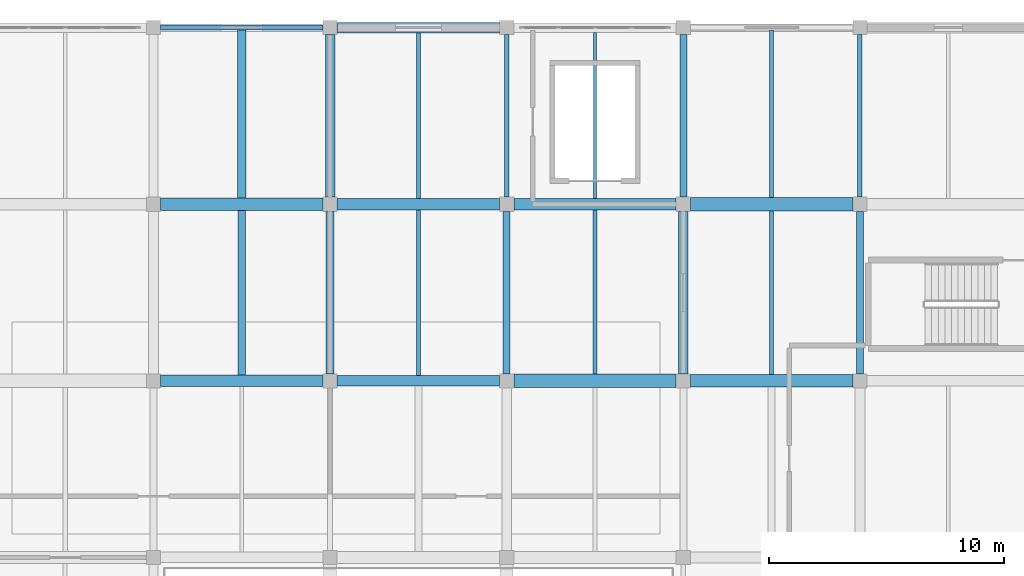
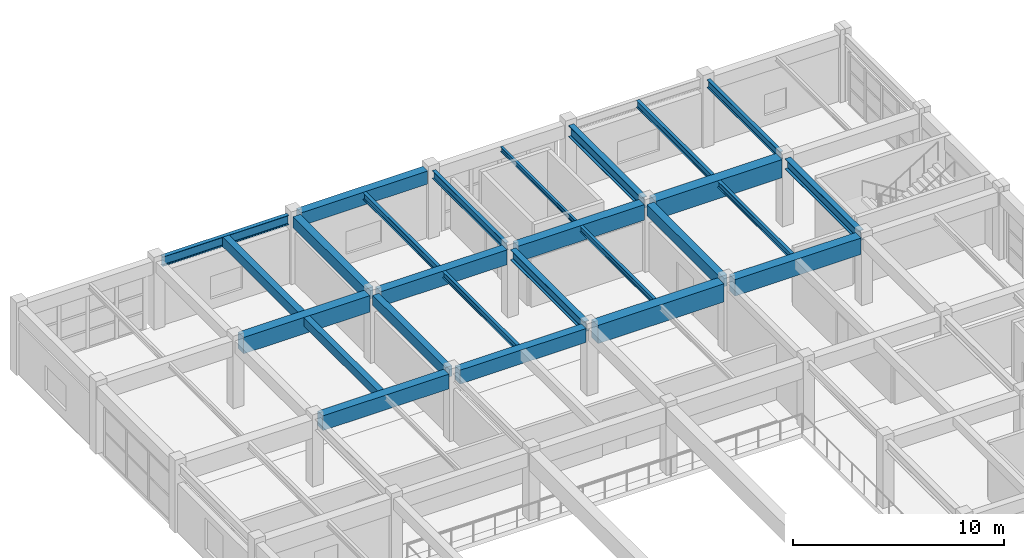
# One storey, part 72 of 124: 26 beams.
"""IFC4 building model written with IfcOpenShell, lengths in metres."""

from ifc_helpers import new_model, si_unit, direction, frame, origin, origin_2d, place, context, subcontext, project, spatial, rectangle, i_section, extrude, material, material_profile, profile_set, type_object, element, save


model = new_model("IFC4")

# Units and contexts
model_context = context("Model", 3, precision=1e-05, world=origin(), true_north=direction((0.0, 1.0)))
body_context = subcontext(model_context, "Body", "Model", "MODEL_VIEW")
ifc_project = project(units=[si_unit("LENGTHUNIT", "METRE"), si_unit("AREAUNIT", "SQUARE_METRE"), si_unit("VOLUMEUNIT", "CUBIC_METRE"), si_unit("PLANEANGLEUNIT", "RADIAN"), si_unit("MASSUNIT", "GRAM", prefix="KILO")], contexts=[model_context])

# Site, building, storey
site_placement = place(None, origin())
site = spatial("IfcSite", under=ifc_project, at=site_placement, CompositionType="ELEMENT")
building_placement = place(site_placement, origin())
building = spatial("IfcBuilding", under=site, at=building_placement, Name="Qasida Concert Hall", CompositionType="ELEMENT")
storey_placement = place(building_placement, frame((0.0, 0.0, 9.0)))
storey = spatial("IfcBuildingStorey", under=building, at=storey_placement, Name="L02", CompositionType="ELEMENT", Elevation=9.0)

# Beams
ifc_material_1 = material(Name="Concrete C40/50", Category="concrete")
ifc_material_profile_1 = material_profile(ifc_material_1, rectangle(XDim=0.39990234375, YDim=0.64990234375, at=origin_2d()), Name="RC 400x650")
ifc_profile_set_1 = profile_set([ifc_material_profile_1], Name="Concrete C40/50")
beam_type_1 = type_object("IfcBeamType", Name="BM-B1", PredefinedType="BEAM", material=ifc_profile_set_1)
for number, where, z_axis, x_axis, name in (
    (1, (135.0, 105.300048828125, 3.574951171875), (0.0, 1.0, 0.0), (-1.0, 0.0, 0.0), "L02 girder 1396"),
    (2, (150.0, 97.800048828125, 3.574951171875), (0.0, 1.0, 0.0), (-1.0, 0.0, 0.0), "L02 girder 1404"),
):
    element("IfcBeam", number, at=place(storey_placement, frame(where, z_axis=z_axis, x_axis=x_axis)), inside=storey, type_object=beam_type_1, Name=name, PredefinedType="BEAM", context=body_context, shape_type="SweptSolid", body=[
        extrude(rectangle(XDim=0.39990234375, YDim=0.64990234375, at=origin_2d()), origin(), (0.0, 0.0, 1.0), 6.89990234375),
    ])
ifc_material_2 = material(Name="Steel S355J2", Category="steel")
ifc_material_profile_2 = material_profile(ifc_material_2, i_section(OverallWidth=0.300048828125, OverallDepth=0.64990234375, WebThickness=0.01611328125, FlangeThickness=0.031005859375, FilletRadius=0.027099609375, at=origin_2d()), Name="HEB 650")
ifc_profile_set_2 = profile_set([ifc_material_profile_2], Name="Steel S355J2")
beam_type_2 = type_object("IfcBeamType", Name="BM-B13", PredefinedType="BEAM", material=ifc_profile_set_2)
beam_1_placement = place(storey_placement, frame((150.0, 105.300048828125, 3.574951171875), z_axis=(0.0, 1.0, 0.0), x_axis=(-1.0, 0.0, 0.0)))
element("IfcBeam", 3, at=beam_1_placement, inside=storey, type_object=beam_type_2, Name="L02 girder 1405", PredefinedType="BEAM", context=body_context, shape_type="SweptSolid", body=[
    extrude(i_section(OverallWidth=0.300048828125, OverallDepth=0.64990234375, WebThickness=0.01611328125, FlangeThickness=0.031005859375, FilletRadius=0.027099609375, at=origin_2d()), origin(), (0.0, 0.0, 1.0), 6.89990234375),
])
ifc_material_profile_3 = material_profile(ifc_material_1, rectangle(XDim=0.35009765625, YDim=0.60009765625, at=origin_2d()), Name="RC 350x600")
ifc_profile_set_3 = profile_set([ifc_material_profile_3], Name="Concrete C40/50")
beam_type_3 = type_object("IfcBeamType", Name="BM-B2", PredefinedType="BEAM", material=ifc_profile_set_3)
beam_2_placement = place(storey_placement, frame((135.0, 97.800048828125, 3.60009765625), z_axis=(0.0, 1.0, 0.0), x_axis=(-1.0, 0.0, 0.0)))
element("IfcBeam", 4, at=beam_2_placement, inside=storey, type_object=beam_type_3, Name="L02 girder 1395", PredefinedType="BEAM", context=body_context, shape_type="SweptSolid", body=[
    extrude(rectangle(XDim=0.35009765625, YDim=0.60009765625, at=origin_2d()), origin(), (0.0, 0.0, 1.0), 6.89990234375),
])
ifc_material_profile_4 = material_profile(ifc_material_2, i_section(OverallWidth=0.18994140625, OverallDepth=0.449951171875, WebThickness=0.009521484375, FlangeThickness=0.0146484375, FilletRadius=0.02099609375, at=origin_2d()), Name="IPE 450")
ifc_profile_set_4 = profile_set([ifc_material_profile_4], Name="Steel S355J2")
beam_type_4 = type_object("IfcBeamType", Name="BM-B5", PredefinedType="BEAM", material=ifc_profile_set_4)
for number, where, z_axis, x_axis, name in (
    (5, (142.5, 105.300048828125, 3.675048828125), (0.0, 1.0, 0.0), (-1.0, 0.0, 0.0), "L02 girder 1400"),
    (6, (157.5, 105.300048828125, 3.675048828125), (0.0, 1.0, 0.0), (-1.0, 0.0, 0.0), "L02 girder 1410"),
):
    element("IfcBeam", number, at=place(storey_placement, frame(where, z_axis=z_axis, x_axis=x_axis)), inside=storey, type_object=beam_type_4, Name=name, PredefinedType="BEAM", context=body_context, shape_type="SweptSolid", body=[
        extrude(i_section(OverallWidth=0.18994140625, OverallDepth=0.449951171875, WebThickness=0.009521484375, FlangeThickness=0.0146484375, FilletRadius=0.02099609375, at=origin_2d()), origin(), (0.0, 0.0, 1.0), 6.89990234375),
    ])
ifc_material_profile_5 = material_profile(ifc_material_2, i_section(OverallWidth=0.300048828125, OverallDepth=0.60009765625, WebThickness=0.015380859375, FlangeThickness=0.030029296875, FilletRadius=0.027099609375, at=origin_2d()), Name="HEB 600")
ifc_profile_set_5 = profile_set([ifc_material_profile_5], Name="Steel S355J2")
beam_type_5 = type_object("IfcBeamType", Name="BM-B6", PredefinedType="BEAM", material=ifc_profile_set_5)
for number, where, z_axis, x_axis, name in (
    (7, (142.5, 97.800048828125, 3.60009765625), (0.0, 1.0, 0.0), (-1.0, 0.0, 0.0), "L02 girder 1399"),
    (8, (157.5, 97.800048828125, 3.60009765625), (0.0, 1.0, 0.0), (-1.0, 0.0, 0.0), "L02 girder 1409"),
):
    element("IfcBeam", number, at=place(storey_placement, frame(where, z_axis=z_axis, x_axis=x_axis)), inside=storey, type_object=beam_type_5, Name=name, PredefinedType="BEAM", context=body_context, shape_type="SweptSolid", body=[
        extrude(i_section(OverallWidth=0.300048828125, OverallDepth=0.60009765625, WebThickness=0.015380859375, FlangeThickness=0.030029296875, FilletRadius=0.027099609375, at=origin_2d()), origin(), (0.0, 0.0, 1.0), 6.89990234375),
    ])
ifc_material_profile_6 = material_profile(ifc_material_1, rectangle(XDim=0.5, YDim=0.89990234375, at=origin_2d()), Name="RC 500x900")
ifc_profile_set_6 = profile_set([ifc_material_profile_6], Name="Concrete C40/50")
beam_type_6 = type_object("IfcBeamType", Name="BM-G1", PredefinedType="USERDEFINED", material=ifc_profile_set_6)
beam_3_placement = place(storey_placement, frame((142.800048828125, 105.0, 3.449951171875), z_axis=(1.0, 0.0, 0.0), x_axis=(0.0, 1.0, 0.0)))
element("IfcBeam", 9, at=beam_3_placement, inside=storey, type_object=beam_type_6, Name="Primary girder 1374", ObjectType="GIRDER", PredefinedType="USERDEFINED", context=body_context, shape_type="SweptSolid", body=[
    extrude(rectangle(XDim=0.5, YDim=0.89990234375, at=origin_2d()), origin(), (0.0, 0.0, 1.0), 6.89990234375),
])
ifc_material_profile_7 = material_profile(ifc_material_1, rectangle(XDim=0.449951171875, YDim=0.800048828125, at=origin_2d()), Name="RC 450x800")
ifc_profile_set_7 = profile_set([ifc_material_profile_7], Name="Concrete C40/50")
beam_type_7 = type_object("IfcBeamType", Name="BM-G2", PredefinedType="USERDEFINED", material=ifc_profile_set_7)
beam_4_placement = place(storey_placement, frame((135.300048828125, 97.5, 3.5), z_axis=(1.0, 0.0, 0.0), x_axis=(0.0, 1.0, 0.0)))
element("IfcBeam", 10, at=beam_4_placement, inside=storey, type_object=beam_type_7, Name="Primary girder 1367", ObjectType="GIRDER", PredefinedType="USERDEFINED", context=body_context, shape_type="SweptSolid", body=[
    extrude(rectangle(XDim=0.449951171875, YDim=0.800048828125, at=origin_2d()), origin(), (0.0, 0.0, 1.0), 6.89990234375),
])
ifc_material_profile_8 = material_profile(ifc_material_1, rectangle(XDim=0.47998046875, YDim=0.85009765625, at=origin_2d()), Name="RC 480x850")
ifc_profile_set_8 = profile_set([ifc_material_profile_8], Name="Concrete C40/50")
beam_type_8 = type_object("IfcBeamType", Name="BM-G6", PredefinedType="USERDEFINED", material=ifc_profile_set_8)
for number, where, z_axis, x_axis, name in (
    (11, (127.800048828125, 97.5, 3.47509765625), (1.0, 0.0, 0.0), (0.0, 1.0, 0.0), "Primary girder 1366"),
    (12, (135.300048828125, 105.0, 3.47509765625), (1.0, 0.0, 0.0), (0.0, 1.0, 0.0), "Primary girder 1373"),
):
    element("IfcBeam", number, at=place(storey_placement, frame(where, z_axis=z_axis, x_axis=x_axis)), inside=storey, type_object=beam_type_8, Name=name, ObjectType="GIRDER", PredefinedType="USERDEFINED", context=body_context, shape_type="SweptSolid", body=[
        extrude(rectangle(XDim=0.47998046875, YDim=0.85009765625, at=origin_2d()), origin(), (0.0, 0.0, 1.0), 6.89990234375),
    ])
ifc_material_profile_9 = material_profile(ifc_material_1, rectangle(XDim=0.52001953125, YDim=0.949951171875, at=origin_2d()), Name="RC 520x950")
ifc_profile_set_9 = profile_set([ifc_material_profile_9], Name="Concrete C40/50")
beam_type_9 = type_object("IfcBeamType", Name="BM-G7", PredefinedType="USERDEFINED", material=ifc_profile_set_9)
for number, where, z_axis, x_axis, name in (
    (13, (150.300048828125, 97.5, 3.425048828125), (1.0, 0.0, 0.0), (0.0, 1.0, 0.0), "Primary girder 1369"),
    (14, (127.800048828125, 105.0, 3.425048828125), (1.0, 0.0, 0.0), (0.0, 1.0, 0.0), "Primary girder 1372"),
):
    element("IfcBeam", number, at=place(storey_placement, frame(where, z_axis=z_axis, x_axis=x_axis)), inside=storey, type_object=beam_type_9, Name=name, ObjectType="GIRDER", PredefinedType="USERDEFINED", context=body_context, shape_type="SweptSolid", body=[
        extrude(rectangle(XDim=0.52001953125, YDim=0.949951171875, at=origin_2d()), origin(), (0.0, 0.0, 1.0), 6.89990234375),
    ])
ifc_material_3 = material(Name="Concrete C50/60", Category="concrete")
ifc_material_profile_10 = material_profile(ifc_material_3, rectangle(XDim=0.580078125, YDim=1.050048828125, at=origin_2d()), Name="RC 580x1050")
ifc_profile_set_10 = profile_set([ifc_material_profile_10], Name="Concrete C50/60")
beam_type_10 = type_object("IfcBeamType", Name="BM-G8", PredefinedType="USERDEFINED", material=ifc_profile_set_10)
for number, where, z_axis, x_axis, name in (
    (15, (142.800048828125, 97.5, 3.375), (1.0, 0.0, 0.0), (0.0, 1.0, 0.0), "Primary girder 1368"),
    (16, (150.300048828125, 105.0, 3.375), (1.0, 0.0, 0.0), (0.0, 1.0, 0.0), "Primary girder 1375"),
):
    element("IfcBeam", number, at=place(storey_placement, frame(where, z_axis=z_axis, x_axis=x_axis)), inside=storey, type_object=beam_type_10, Name=name, ObjectType="GIRDER", PredefinedType="USERDEFINED", context=body_context, shape_type="SweptSolid", body=[
        extrude(rectangle(XDim=0.580078125, YDim=1.050048828125, at=origin_2d()), origin(), (0.0, 0.0, 1.0), 6.89990234375),
    ])
ifc_material_profile_11 = material_profile(ifc_material_2, i_section(OverallWidth=0.169921875, OverallDepth=0.360107421875, WebThickness=0.008056640625, FlangeThickness=0.0126953125, FilletRadius=0.01806640625, at=origin_2d()), Name="IPE 360")
ifc_profile_set_11 = profile_set([ifc_material_profile_11], Name="Steel S355J2")
beam_type_11 = type_object("IfcBeamType", Name="BM-J2", PredefinedType="JOIST", material=ifc_profile_set_11)
beam_5_placement = place(storey_placement, frame((138.75, 97.72509765625, 3.719970703125), z_axis=(0.0, 1.0, 0.0), x_axis=(-1.0, 0.0, 0.0)))
element("IfcBeam", 17, at=beam_5_placement, inside=storey, type_object=beam_type_11, Name="L02 secondary joist 1425", PredefinedType="JOIST", context=body_context, shape_type="SweptSolid", body=[
    extrude(i_section(OverallWidth=0.169921875, OverallDepth=0.360107421875, WebThickness=0.008056640625, FlangeThickness=0.0126953125, FilletRadius=0.01806640625, at=origin_2d()), origin(), (0.0, 0.0, 1.0), 7.034912109375),
])
beam_6_placement = place(storey_placement, frame((153.75, 97.760009765625, 3.719970703125), z_axis=(0.0, 1.0, 0.0), x_axis=(-1.0, 0.0, 0.0)))
element("IfcBeam", 18, at=beam_6_placement, inside=storey, type_object=beam_type_11, Name="L02 secondary joist 1433", PredefinedType="JOIST", context=body_context, shape_type="SweptSolid", body=[
    extrude(i_section(OverallWidth=0.169921875, OverallDepth=0.360107421875, WebThickness=0.008056640625, FlangeThickness=0.0126953125, FilletRadius=0.01806640625, at=origin_2d()), origin(), (0.0, 0.0, 1.0), 6.949951171875),
])
ifc_material_profile_12 = material_profile(ifc_material_2, i_section(OverallWidth=0.179931640625, OverallDepth=0.39990234375, WebThickness=0.008544921875, FlangeThickness=0.013427734375, FilletRadius=0.02099609375, at=origin_2d()), Name="IPE 400")
ifc_profile_set_12 = profile_set([ifc_material_profile_12], Name="Steel S355J2")
beam_type_12 = type_object("IfcBeamType", Name="BM-J3", PredefinedType="JOIST", material=ifc_profile_set_12)
beam_7_placement = place(storey_placement, frame((138.75, 105.239990234375, 3.699951171875), z_axis=(0.0, 1.0, 0.0), x_axis=(-1.0, 0.0, 0.0)))
element("IfcBeam", 19, at=beam_7_placement, inside=storey, type_object=beam_type_12, Name="L02 secondary joist 1426", PredefinedType="JOIST", context=body_context, shape_type="SweptSolid", body=[
    extrude(i_section(OverallWidth=0.179931640625, OverallDepth=0.39990234375, WebThickness=0.008544921875, FlangeThickness=0.013427734375, FilletRadius=0.02099609375, at=origin_2d()), origin(), (0.0, 0.0, 1.0), 7.034912109375),
])
beam_8_placement = place(storey_placement, frame((153.75, 105.2900390625, 3.699951171875), z_axis=(0.0, 1.0, 0.0), x_axis=(-1.0, 0.0, 0.0)))
element("IfcBeam", 20, at=beam_8_placement, inside=storey, type_object=beam_type_12, Name="L02 secondary joist 1434", PredefinedType="JOIST", context=body_context, shape_type="SweptSolid", body=[
    extrude(i_section(OverallWidth=0.179931640625, OverallDepth=0.39990234375, WebThickness=0.008544921875, FlangeThickness=0.013427734375, FilletRadius=0.02099609375, at=origin_2d()), origin(), (0.0, 0.0, 1.0), 7.10498046875),
])
ifc_material_profile_13 = material_profile(ifc_material_2, i_section(OverallWidth=0.159912109375, OverallDepth=0.330078125, WebThickness=0.007568359375, FlangeThickness=0.011474609375, FilletRadius=0.01806640625, at=origin_2d()), Name="IPE 330")
ifc_profile_set_13 = profile_set([ifc_material_profile_13], Name="Steel S355J2")
beam_type_13 = type_object("IfcBeamType", Name="BM-J5", PredefinedType="JOIST", material=ifc_profile_set_13)
beam_9_placement = place(storey_placement, frame((146.25, 97.7900390625, 3.735107421875), z_axis=(0.0, 1.0, 0.0), x_axis=(-1.0, 0.0, 0.0)))
element("IfcBeam", 21, at=beam_9_placement, inside=storey, type_object=beam_type_13, Name="L02 secondary joist 1428", PredefinedType="JOIST", context=body_context, shape_type="SweptSolid", body=[
    extrude(i_section(OverallWidth=0.159912109375, OverallDepth=0.330078125, WebThickness=0.007568359375, FlangeThickness=0.011474609375, FilletRadius=0.01806640625, at=origin_2d()), origin(), (0.0, 0.0, 1.0), 6.9599609375),
])
ifc_material_profile_14 = material_profile(ifc_material_2, i_section(OverallWidth=0.135009765625, OverallDepth=0.27001953125, WebThickness=0.006591796875, FlangeThickness=0.01025390625, FilletRadius=0.014892578125, at=origin_2d()), Name="IPE 270")
ifc_profile_set_14 = profile_set([ifc_material_profile_14], Name="Steel S355J2")
beam_type_14 = type_object("IfcBeamType", Name="BM-J6", PredefinedType="JOIST", material=ifc_profile_set_14)
beam_10_placement = place(storey_placement, frame((146.25, 105.25, 3.764892578125), z_axis=(0.0, 1.0, 0.0), x_axis=(-1.0, 0.0, 0.0)))
element("IfcBeam", 22, at=beam_10_placement, inside=storey, type_object=beam_type_14, Name="L02 secondary joist 1429", PredefinedType="JOIST", context=body_context, shape_type="SweptSolid", body=[
    extrude(i_section(OverallWidth=0.135009765625, OverallDepth=0.27001953125, WebThickness=0.006591796875, FlangeThickness=0.01025390625, FilletRadius=0.014892578125, at=origin_2d()), origin(), (0.0, 0.0, 1.0), 7.050048828125),
])
ifc_material_profile_15 = material_profile(ifc_material_1, rectangle(XDim=0.320068359375, YDim=0.5, at=origin_2d()), Name="RC 320x500")
ifc_profile_set_15 = profile_set([ifc_material_profile_15], Name="Concrete C40/50")
beam_type_15 = type_object("IfcBeamType", Name="BM-J7", PredefinedType="JOIST", material=ifc_profile_set_15)
beam_11_placement = place(storey_placement, frame((131.25, 97.739990234375, 3.64990234375), z_axis=(0.0, 1.0, 0.0), x_axis=(-1.0, 0.0, 0.0)))
element("IfcBeam", 23, at=beam_11_placement, inside=storey, type_object=beam_type_15, Name="L02 secondary joist 1422", PredefinedType="JOIST", context=body_context, shape_type="SweptSolid", body=[
    extrude(rectangle(XDim=0.320068359375, YDim=0.5, at=origin_2d()), origin(), (0.0, 0.0, 1.0), 7.0),
])
ifc_material_profile_16 = material_profile(ifc_material_1, rectangle(XDim=0.35009765625, YDim=0.550048828125, at=origin_2d()), Name="RC 350x550")
ifc_profile_set_16 = profile_set([ifc_material_profile_16], Name="Concrete C40/50")
beam_type_16 = type_object("IfcBeamType", Name="BM-J8", PredefinedType="JOIST", material=ifc_profile_set_16)
beam_12_placement = place(storey_placement, frame((131.25, 105.260009765625, 3.625), z_axis=(0.0, 1.0, 0.0), x_axis=(-1.0, 0.0, 0.0)))
element("IfcBeam", 24, at=beam_12_placement, inside=storey, type_object=beam_type_16, Name="L02 secondary joist 1423", PredefinedType="JOIST", context=body_context, shape_type="SweptSolid", body=[
    extrude(rectangle(XDim=0.35009765625, YDim=0.550048828125, at=origin_2d()), origin(), (0.0, 0.0, 1.0), 7.135009765625),
])
ifc_material_profile_17 = material_profile(ifc_material_2, i_section(OverallWidth=0.2099609375, OverallDepth=0.550048828125, WebThickness=0.010986328125, FlangeThickness=0.01708984375, FilletRadius=0.02392578125, at=origin_2d()), Name="IPE 550")
ifc_profile_set_17 = profile_set([ifc_material_profile_17], Name="Steel S355J2")
beam_type_17 = type_object("IfcBeamType", Name="BM-SP2", PredefinedType="SPANDREL", material=ifc_profile_set_17)
beam_13_placement = place(storey_placement, frame((127.800048828125, 112.5, 3.625), z_axis=(1.0, 0.0, 0.0), x_axis=(0.0, 1.0, 0.0)))
element("IfcBeam", 25, at=beam_13_placement, inside=storey, type_object=beam_type_17, Name="Primary girder 1378", PredefinedType="SPANDREL", context=body_context, shape_type="SweptSolid", body=[
    extrude(i_section(OverallWidth=0.2099609375, OverallDepth=0.550048828125, WebThickness=0.010986328125, FlangeThickness=0.01708984375, FilletRadius=0.02392578125, at=origin_2d()), origin(), (0.0, 0.0, 1.0), 6.89990234375),
])
ifc_material_profile_18 = material_profile(ifc_material_1, rectangle(XDim=0.449951171875, YDim=0.75, at=origin_2d()), Name="RC 450x750")
ifc_profile_set_18 = profile_set([ifc_material_profile_18], Name="Concrete C40/50")
beam_type_18 = type_object("IfcBeamType", Name="BM-SP4", PredefinedType="SPANDREL", material=ifc_profile_set_18)
beam_14_placement = place(storey_placement, frame((135.300048828125, 112.5, 3.52490234375), z_axis=(1.0, 0.0, 0.0), x_axis=(0.0, 1.0, 0.0)))
element("IfcBeam", 26, at=beam_14_placement, inside=storey, type_object=beam_type_18, Name="Primary girder 1379", PredefinedType="SPANDREL", context=body_context, shape_type="SweptSolid", body=[
    extrude(rectangle(XDim=0.449951171875, YDim=0.75, at=origin_2d()), origin(), (0.0, 0.0, 1.0), 6.89990234375),
])

save(model, "model.ifc")
